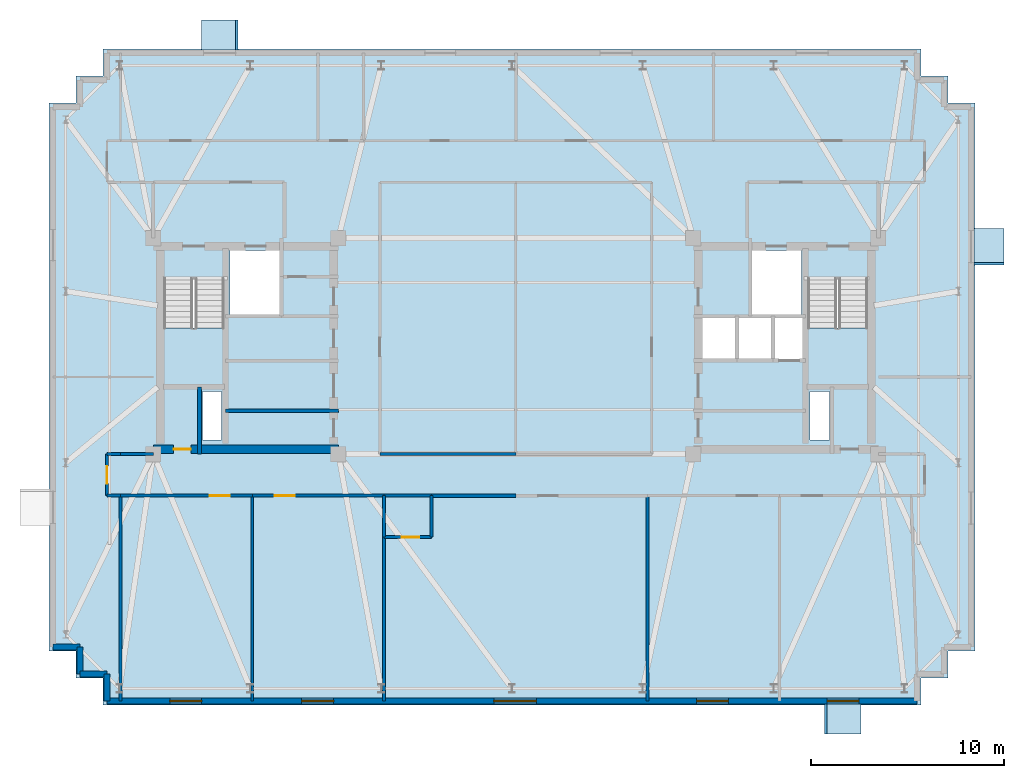
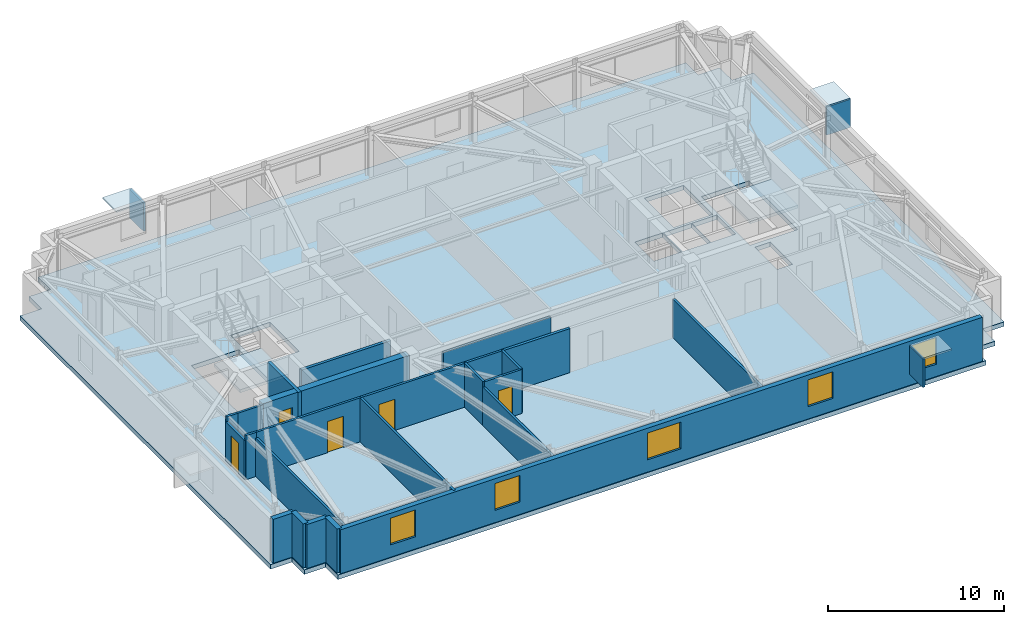
# One storey, part 5 of 10: 24 walls, 6 plates, 5 doors, 5 windows, 3 slabs, 10 openings, 2 elements without a shape of their own.
"""IFC4 building model written with IfcOpenShell, lengths in metres."""

from ifc_helpers import new_model, si_unit, direction, frame, frame_2d, origin, origin_2d, place, context, subcontext, project, spatial, polyline, rectangle, outline, extrude, material, layer, layer_set, type_object, element, fill, aggregate, save


model = new_model("IFC4")

# Units and contexts
model_context = context("Model", 3, precision=1e-05, world=origin(), true_north=direction((0.0, 1.0)))
body_context = subcontext(model_context, "Body", "Model", "MODEL_VIEW")
ifc_project = project(units=[si_unit("LENGTHUNIT", "METRE"), si_unit("AREAUNIT", "SQUARE_METRE"), si_unit("VOLUMEUNIT", "CUBIC_METRE"), si_unit("PLANEANGLEUNIT", "RADIAN"), si_unit("MASSUNIT", "GRAM", prefix="KILO")], contexts=[model_context])

# Site, building, storey
site_placement = place(None, origin())
site = spatial("IfcSite", under=ifc_project, at=site_placement, CompositionType="ELEMENT")
building_placement = place(site_placement, origin())
building = spatial("IfcBuilding", under=site, at=building_placement, Name="Qobustan Lattice House", CompositionType="ELEMENT")
storey_placement = place(building_placement, frame((0.0, 0.0, 231.64990234375)))
storey = spatial("IfcBuildingStorey", under=building, at=storey_placement, Name="L65", CompositionType="ELEMENT", Elevation=231.64990234375)

# Plates
ifc_material_1 = material(Name="Qobustan limestone GFRC", Category="masonry")
ifc_layer_1 = layer(ifc_material_1, 0.1201171875)
ifc_layer_set_1 = layer_set([ifc_layer_1], Name="Qobustan limestone GFRC")
plate_type = type_object("IfcPlateType", Name="SHD-HOOD-BROW", PredefinedType="USERDEFINED", material=ifc_layer_set_1)
plate_1_placement = place(storey_placement, frame((-15.360107421875, 16.1298828125, 2.699951171875), z_axis=(0.0, 0.0, 1.0), x_axis=(1.0, 0.0, 0.0)))
element("IfcPlate", 1, at=plate_1_placement, inside=storey, type_object=plate_type, Name="L65 splayed Qobustan stone hood brow", ObjectType="SUNSHADE", PredefinedType="USERDEFINED", context=body_context, shape_type="SweptSolid", body=[
    extrude(rectangle(XDim=1.889892578125, YDim=1.56005859375, at=origin_2d()), origin(), (0.0, 0.0, 1.0), 0.1201171875),
])
plate_2_placement = place(storey_placement, frame((-14.47509765625, 16.1298828125, 0.7900390625), z_axis=(0.0, 0.0, 1.0), x_axis=(1.0, 0.0, 0.0)))
element("IfcPlate", 2, at=plate_2_placement, inside=storey, type_object=plate_type, Name="L65 splayed Qobustan stone hood cheek", ObjectType="SUNSHADE", PredefinedType="USERDEFINED", context=body_context, shape_type="SweptSolid", body=[
    extrude(rectangle(XDim=0.1201171875, YDim=1.56005859375, at=origin_2d()), origin(), (0.0, 0.0, 1.0), 1.969970703125),
])
plate_3_placement = place(storey_placement, frame((24.530029296875, 5.159912109375, 2.699951171875), z_axis=(0.0, 0.0, 1.0), x_axis=(0.0, -1.0, 0.0)))
element("IfcPlate", 3, at=plate_3_placement, inside=storey, type_object=plate_type, Name="L65 splayed Qobustan stone hood brow", ObjectType="SUNSHADE", PredefinedType="USERDEFINED", context=body_context, shape_type="SweptSolid", body=[
    extrude(rectangle(XDim=1.889892578125, YDim=1.56005859375, at=origin_2d()), origin(), (0.0, 0.0, 1.0), 0.1201171875),
])
plate_4_placement = place(storey_placement, frame((24.530029296875, 4.27490234375, 0.7900390625), z_axis=(0.0, 0.0, 1.0), x_axis=(0.0, -1.0, 0.0)))
element("IfcPlate", 4, at=plate_4_placement, inside=storey, type_object=plate_type, Name="L65 splayed Qobustan stone hood cheek", ObjectType="SUNSHADE", PredefinedType="USERDEFINED", context=body_context, shape_type="SweptSolid", body=[
    extrude(rectangle(XDim=0.1201171875, YDim=1.56005859375, at=origin_2d()), origin(), (0.0, 0.0, 1.0), 1.969970703125),
])
plate_5_placement = place(storey_placement, frame((16.9599609375, -19.330078125, 2.699951171875), z_axis=(0.0, 0.0, 1.0), x_axis=(-1.0, 0.0, 0.0)))
element("IfcPlate", 5, at=plate_5_placement, inside=storey, type_object=plate_type, Name="L65 splayed Qobustan stone hood brow", ObjectType="SUNSHADE", PredefinedType="USERDEFINED", context=body_context, shape_type="SweptSolid", body=[
    extrude(rectangle(XDim=1.889892578125, YDim=1.56005859375, at=origin_2d()), origin(), (0.0, 0.0, 1.0), 0.1201171875),
])
plate_6_placement = place(storey_placement, frame((16.074951171875, -19.330078125, 0.7900390625), z_axis=(0.0, 0.0, 1.0), x_axis=(-1.0, 0.0, 0.0)))
element("IfcPlate", 6, at=plate_6_placement, inside=storey, type_object=plate_type, Name="L65 splayed Qobustan stone hood cheek", ObjectType="SUNSHADE", PredefinedType="USERDEFINED", context=body_context, shape_type="SweptSolid", body=[
    extrude(rectangle(XDim=0.1201171875, YDim=1.56005859375, at=origin_2d()), origin(), (0.0, 0.0, 1.0), 1.969970703125),
])

# Slab
ifc_material_2 = material(Name="Concrete C40/50", Category="concrete")
ifc_layer_2 = layer(ifc_material_2, 0.31005859375)
ifc_layer_set_2 = layer_set([ifc_layer_2], Name="Concrete C40/50")
slab_type_1 = type_object("IfcSlabType", Name="SLB-FLR-310", PredefinedType="FLOOR", material=ifc_layer_set_2)
slab_1_placement = place(storey_placement, frame((0.0, 0.0, -0.309814453125)))
element("IfcSlab", 7, at=slab_1_placement, inside=storey, type_object=slab_type_1, Name="L65 structural floor slab", PredefinedType="FLOOR", context=body_context, shape_type="SweptSolid", body=[
    extrude(outline(polyline([(-21.39990234375, -18.60009765625), (21.0, -18.60009765625), (21.0, -17.199951171875), (22.39990234375, -17.199951171875), (22.39990234375, -15.800048828125), (23.800048828125, -15.800048828125), (23.800048828125, 12.60009765625), (22.39990234375, 12.60009765625), (22.39990234375, 14.0), (21.0, 14.0), (21.0, 15.39990234375), (-21.39990234375, 15.39990234375), (-21.39990234375, 14.0), (-22.800048828125, 14.0), (-22.800048828125, 12.60009765625), (-24.199951171875, 12.60009765625), (-24.199951171875, -15.800048828125), (-22.800048828125, -15.800048828125), (-22.800048828125, -17.199951171875), (-21.39990234375, -17.199951171875), (-21.39990234375, -18.60009765625)]), holes=[polyline([(-18.25, -2.050048828125), (-18.25, 3.489990234375), (-15.1298828125, 3.489990234375), (-15.1298828125, -2.050048828125), (-18.25, -2.050048828125)]), polyline([(15.1298828125, -2.050048828125), (15.1298828125, 3.489990234375), (18.25, 3.489990234375), (18.25, -2.050048828125), (15.1298828125, -2.050048828125)]), polyline([(-14.820068359375, 1.64990234375), (-14.820068359375, 4.9599609375), (-12.25, 4.9599609375), (-12.25, 1.64990234375), (-14.820068359375, 1.64990234375)]), polyline([(12.25, 1.64990234375), (12.25, 4.9599609375), (14.820068359375, 4.9599609375), (14.820068359375, 1.64990234375), (12.25, 1.64990234375)]), polyline([(-16.260009765625, -4.8798828125), (-16.260009765625, -2.360107421875), (-15.260009765625, -2.360107421875), (-15.260009765625, -4.8798828125), (-16.260009765625, -4.8798828125)]), polyline([(15.260009765625, -4.8798828125), (15.260009765625, -2.360107421875), (16.260009765625, -2.360107421875), (16.260009765625, -4.8798828125), (15.260009765625, -4.8798828125)]), polyline([(13.360107421875, -0.679931640625), (13.360107421875, 1.47998046875), (14.97998046875, 1.47998046875), (14.97998046875, -0.679931640625), (13.360107421875, -0.679931640625)]), polyline([(9.6201171875, -0.679931640625), (9.6201171875, 1.47998046875), (11.43994140625, 1.47998046875), (11.43994140625, -0.679931640625), (9.6201171875, -0.679931640625)]), polyline([(11.5, -0.679931640625), (11.5, 1.47998046875), (13.320068359375, 1.47998046875), (13.320068359375, -0.679931640625), (11.5, -0.679931640625)])]), origin(), (0.0, 0.0, 1.0), 0.309814453125),
])

# Stair, slab
ifc_material_3 = material(Name="Concrete C40/50", Category="concrete")
stair_type = type_object("IfcStairType", Name="STR-CORE-DOGLEG", PredefinedType="HALF_TURN_STAIR", material=ifc_material_3)
stair_1_placement = place(storey_placement, origin())
stair_1 = element("IfcStair", 8, at=stair_1_placement, inside=storey, type_object=stair_type, Name="L65 West protected exit stair ST-W1", PredefinedType="HALF_TURN_STAIR")
ifc_material_4 = material(Name="Concrete C40/50", Category="concrete")
ifc_layer_3 = layer(ifc_material_4, 0.199951171875)
ifc_layer_set_3 = layer_set([ifc_layer_3], Name="Concrete C40/50")
slab_type_2 = type_object("IfcSlabType", Name="SLB-LANDING-200", PredefinedType="LANDING", material=ifc_layer_set_3)
slab_2_placement = place(storey_placement, frame((0.0, 0.0, 1.47509765625)))
slab_2 = element("IfcSlab", 9, at=slab_2_placement, type_object=slab_type_2, Name="ST-W1 landing 1", PredefinedType="LANDING", context=body_context, shape_type="SweptSolid", body=[
    extrude(outline(polyline([(-18.25, 0.93505859375), (-18.25, -2.050048828125), (-15.1298828125, -2.050048828125), (-15.1298828125, 0.93505859375), (-18.25, 0.93505859375)])), origin(), (0.0, 0.0, 1.0), 0.199951171875),
])
aggregate(stair_1, [slab_2])

stair_2_placement = place(storey_placement, origin())
stair_2 = element("IfcStair", 10, at=stair_2_placement, inside=storey, type_object=stair_type, Name="L65 East protected exit stair ST-E1", PredefinedType="HALF_TURN_STAIR")
slab_3_placement = place(storey_placement, frame((0.0, 0.0, 1.47509765625)))
slab_3 = element("IfcSlab", 11, at=slab_3_placement, type_object=slab_type_2, Name="ST-E1 landing 1", PredefinedType="LANDING", context=body_context, shape_type="SweptSolid", body=[
    extrude(outline(polyline([(15.1298828125, 0.93505859375), (15.1298828125, -2.050048828125), (18.25, -2.050048828125), (18.25, 0.93505859375), (15.1298828125, 0.93505859375)])), origin(), (0.0, 0.0, 1.0), 0.199951171875),
])
aggregate(stair_2, [slab_3])

# Wall, opening, door
ifc_material_5 = material(Name="Concrete C50/60", Category="concrete")
ifc_layer_4 = layer(ifc_material_5, 0.43994140625)
ifc_layer_set_4 = layer_set([ifc_layer_4], Name="Concrete C50/60")
wall_type_1 = type_object("IfcWallType", Name="WAL-CORE-440", PredefinedType="SHEAR", material=ifc_layer_set_4)
wall_1_placement = place(storey_placement, frame((-18.800048828125, -5.35009765625, 0.0), z_axis=(0.0, 0.0, 1.0), x_axis=(1.0, 0.0, 0.0)))
wall_1 = element("IfcWall", 12, at=wall_1_placement, inside=storey, type_object=wall_type_1, Name="L65 split-core shear wall CW-S", PredefinedType="SHEAR", context=body_context, shape_type="SweptSolid", body=[
    extrude(rectangle(XDim=9.60009765625, YDim=0.43994140625, at=frame_2d((4.800048828125, 0.0))), origin(), (0.0, 0.0, 1.0), 3.0400390625),
])
opening_1_placement = place(wall_1_placement, frame((1.050048828125, 0.0, 0.0)))
opening_1 = element("IfcOpeningElement", 13, at=opening_1_placement, cuts=wall_1, Name="Opening RD-01", PredefinedType="OPENING", context=body_context, shape_type="SweptSolid", body=[
    extrude(rectangle(XDim=0.89990234375, YDim=2.10009765625, at=frame_2d((0.449951171875, 1.050048828125))), frame((0.0, 0.22998046875, 0.0), z_axis=(0.0, -1.0, 0.0), x_axis=(1.0, 0.0, 0.0)), (0.0, 0.0, 1.0), 0.4599609375),
])
ifc_material_6 = material(Name="Persian walnut timber and steel frame door", Category="steel")
door_type_1 = type_object("IfcDoorType", Name="DOR-RISER-FD-900x2100", OperationType="NOTDEFINED", PredefinedType="DOOR", material=ifc_material_6)
door_1_placement = place(opening_1_placement, origin())
door_1 = element("IfcDoor", 14, at=door_1_placement, inside=storey, type_object=door_type_1, Name="L65 core service riser access door W", OperationType="SINGLE_SWING_LEFT", OverallHeight=2.10009765625, OverallWidth=0.89990234375, PredefinedType="DOOR", context=body_context, shape_type="SweptSolid", body=[
    extrude(rectangle(XDim=0.89990234375, YDim=2.10009765625, at=frame_2d((0.449951171875, 1.050048828125))), frame((0.0, 0.02490234375, 0.0), z_axis=(0.0, -1.0, 0.0), x_axis=(1.0, 0.0, 0.0)), (0.0, 0.0, 1.0), 0.050048828125),
])
fill(opening_1, door_1)

# Walls
ifc_material_7 = material(Name="Precast concrete C40/50", Category="concrete")
ifc_layer_5 = layer(ifc_material_7, 0.320068359375)
ifc_layer_set_5 = layer_set([ifc_layer_5], Name="Precast concrete C40/50")
wall_type_2 = type_object("IfcWallType", Name="WAL-EXT-STONE-320", PredefinedType="SOLIDWALL", material=ifc_layer_set_5)
wall_2_placement = place(storey_placement, frame((-21.199951171875, -18.39990234375, 0.0), z_axis=(0.0, 0.0, 1.0), x_axis=(0.0, 1.0, 0.0)))
element("IfcWall", 15, at=wall_2_placement, inside=storey, type_object=wall_type_2, Name="L65 exterior limestone-clad wall 1", PredefinedType="SOLIDWALL", context=body_context, shape_type="SweptSolid", body=[
    extrude(rectangle(XDim=1.39990234375, YDim=0.320068359375, at=frame_2d((0.699951171875, 0.0))), origin(), (0.0, 0.0, 1.0), 3.0400390625),
])
wall_3_placement = place(storey_placement, frame((-21.199951171875, -17.0, 0.0), z_axis=(0.0, 0.0, 1.0), x_axis=(-1.0, 0.0, 0.0)))
element("IfcWall", 16, at=wall_3_placement, inside=storey, type_object=wall_type_2, Name="L65 exterior limestone-clad wall 2", PredefinedType="SOLIDWALL", context=body_context, shape_type="SweptSolid", body=[
    extrude(rectangle(XDim=1.400146484375, YDim=0.320068359375, at=frame_2d((0.7001953125, 0.0))), origin(), (0.0, 0.0, 1.0), 3.0400390625),
])
for number, where, z_axis, x_axis, name in (
    (17, (-22.60009765625, -17.0, 0.0), (0.0, 0.0, 1.0), (0.0, 1.0, 0.0), "L65 exterior limestone-clad wall 3"),
    (18, (-22.60009765625, -15.60009765625, 0.0), (0.0, 0.0, 1.0), (-1.0, 0.0, 0.0), "L65 exterior limestone-clad wall 4"),
):
    element("IfcWall", number, at=place(storey_placement, frame(where, z_axis=z_axis, x_axis=x_axis)), inside=storey, type_object=wall_type_2, Name=name, PredefinedType="SOLIDWALL", context=body_context, shape_type="SweptSolid", body=[
        extrude(rectangle(XDim=1.39990234375, YDim=0.320068359375, at=frame_2d((0.699951171875, 0.0))), origin(), (0.0, 0.0, 1.0), 3.0400390625),
    ])

# Wall, openings, windows
wall_4_placement = place(storey_placement, frame((20.800048828125, -18.39990234375, 0.0), z_axis=(0.0, 0.0, 1.0), x_axis=(-1.0, 0.0, 0.0)))
wall_4 = element("IfcWall", 19, at=wall_4_placement, inside=storey, type_object=wall_type_2, Name="L65 exterior limestone-clad wall 20", PredefinedType="SOLIDWALL", context=body_context, shape_type="SweptSolid", body=[
    extrude(rectangle(XDim=42.0, YDim=0.320068359375, at=frame_2d((21.0, 0.0))), origin(), (0.0, 0.0, 1.0), 3.0400390625),
])
opening_2_placement = place(wall_4_placement, frame((3.014892578125, 0.0, 0.85009765625)))
opening_2 = element("IfcOpeningElement", 20, at=opening_2_placement, cuts=wall_4, Name="Opening WN-09", PredefinedType="OPENING", context=body_context, shape_type="SweptSolid", body=[
    extrude(rectangle(XDim=1.64990234375, YDim=1.85009765625, at=frame_2d((0.824951171875, 0.925048828125))), frame((0.0, 0.169921875, 0.0), z_axis=(0.0, -1.0, 0.0), x_axis=(1.0, 0.0, 0.0)), (0.0, 0.0, 1.0), 0.340087890625),
])
opening_3_placement = place(wall_4_placement, frame((9.77490234375, 0.0, 0.85009765625)))
opening_3 = element("IfcOpeningElement", 21, at=opening_3_placement, cuts=wall_4, Name="Opening WN-09", PredefinedType="OPENING", context=body_context, shape_type="SweptSolid", body=[
    extrude(rectangle(XDim=1.64990234375, YDim=1.85009765625, at=frame_2d((0.824951171875, 0.925048828125))), frame((0.0, 0.169921875, 0.0), z_axis=(0.0, -1.0, 0.0), x_axis=(1.0, 0.0, 0.0)), (0.0, 0.0, 1.0), 0.340087890625),
])
opening_4_placement = place(wall_4_placement, frame((19.739990234375, 0.0, 0.85009765625)))
opening_4 = element("IfcOpeningElement", 22, at=opening_4_placement, cuts=wall_4, Name="Opening WN-03", PredefinedType="OPENING", context=body_context, shape_type="SweptSolid", body=[
    extrude(rectangle(XDim=2.199951171875, YDim=1.85009765625, at=frame_2d((1.10009765625, 0.925048828125))), frame((0.0, 0.169921875, 0.0), z_axis=(0.0, -1.0, 0.0), x_axis=(1.0, 0.0, 0.0)), (0.0, 0.0, 1.0), 0.340087890625),
])
opening_5_placement = place(wall_4_placement, frame((30.2548828125, 0.0, 0.85009765625)))
opening_5 = element("IfcOpeningElement", 23, at=opening_5_placement, cuts=wall_4, Name="Opening WN-09", PredefinedType="OPENING", context=body_context, shape_type="SweptSolid", body=[
    extrude(rectangle(XDim=1.64990234375, YDim=1.85009765625, at=frame_2d((0.824951171875, 0.925048828125))), frame((0.0, 0.169921875, 0.0), z_axis=(0.0, -1.0, 0.0), x_axis=(1.0, 0.0, 0.0)), (0.0, 0.0, 1.0), 0.340087890625),
])
opening_6_placement = place(wall_4_placement, frame((37.094970703125, 0.0, 0.85009765625)))
opening_6 = element("IfcOpeningElement", 24, at=opening_6_placement, cuts=wall_4, Name="Opening WN-09", PredefinedType="OPENING", context=body_context, shape_type="SweptSolid", body=[
    extrude(rectangle(XDim=1.64990234375, YDim=1.85009765625, at=frame_2d((0.824951171875, 0.925048828125))), frame((0.0, 0.169921875, 0.0), z_axis=(0.0, -1.0, 0.0), x_axis=(1.0, 0.0, 0.0)), (0.0, 0.0, 1.0), 0.340087890625),
])
ifc_material_8 = material(Name="Double-glazed low-E aluminium window", Category="aluminium")
window_type_1 = type_object("IfcWindowType", Name="WIN-STU-1650x1850", PartitioningType="SINGLE_PANEL", PredefinedType="WINDOW", material=ifc_material_8)
window_1_placement = place(opening_2_placement, origin())
window_1 = element("IfcWindow", 25, at=window_1_placement, inside=storey, type_object=window_type_1, Name="L65 Academic seminar room window", OverallHeight=1.85009765625, OverallWidth=1.64990234375, PartitioningType="SINGLE_PANEL", PredefinedType="WINDOW", context=body_context, shape_type="SweptSolid", body=[
    extrude(rectangle(XDim=1.64990234375, YDim=1.85009765625, at=frame_2d((0.824951171875, 0.925048828125))), frame((0.0, 0.030029296875, 0.0), z_axis=(0.0, -1.0, 0.0), x_axis=(1.0, 0.0, 0.0)), (0.0, 0.0, 1.0), 0.06005859375),
])
fill(opening_2, window_1)
window_2_placement = place(opening_3_placement, origin())
window_2 = element("IfcWindow", 26, at=window_2_placement, inside=storey, type_object=window_type_1, Name="L65 Group study room window", OverallHeight=1.85009765625, OverallWidth=1.64990234375, PartitioningType="SINGLE_PANEL", PredefinedType="WINDOW", context=body_context, shape_type="SweptSolid", body=[
    extrude(rectangle(XDim=1.64990234375, YDim=1.85009765625, at=frame_2d((0.824951171875, 0.925048828125))), frame((0.0, 0.030029296875, 0.0), z_axis=(0.0, -1.0, 0.0), x_axis=(1.0, 0.0, 0.0)), (0.0, 0.0, 1.0), 0.06005859375),
])
fill(opening_3, window_2)
window_3_placement = place(opening_5_placement, origin())
window_3 = element("IfcWindow", 27, at=window_3_placement, inside=storey, type_object=window_type_1, Name="L65 Focus study room S1B window", OverallHeight=1.85009765625, OverallWidth=1.64990234375, PartitioningType="SINGLE_PANEL", PredefinedType="WINDOW", context=body_context, shape_type="SweptSolid", body=[
    extrude(rectangle(XDim=1.64990234375, YDim=1.85009765625, at=frame_2d((0.824951171875, 0.925048828125))), frame((0.0, 0.030029296875, 0.0), z_axis=(0.0, -1.0, 0.0), x_axis=(1.0, 0.0, 0.0)), (0.0, 0.0, 1.0), 0.06005859375),
])
fill(opening_5, window_3)
window_4_placement = place(opening_6_placement, origin())
window_4 = element("IfcWindow", 28, at=window_4_placement, inside=storey, type_object=window_type_1, Name="L65 Focus study room S1A window", OverallHeight=1.85009765625, OverallWidth=1.64990234375, PartitioningType="SINGLE_PANEL", PredefinedType="WINDOW", context=body_context, shape_type="SweptSolid", body=[
    extrude(rectangle(XDim=1.64990234375, YDim=1.85009765625, at=frame_2d((0.824951171875, 0.925048828125))), frame((0.0, 0.030029296875, 0.0), z_axis=(0.0, -1.0, 0.0), x_axis=(1.0, 0.0, 0.0)), (0.0, 0.0, 1.0), 0.06005859375),
])
fill(opening_6, window_4)
ifc_material_9 = material(Name="Double-glazed low-E aluminium window", Category="aluminium")
window_type_2 = type_object("IfcWindowType", Name="WIN-WIDE-2200x1850", PartitioningType="SINGLE_PANEL", PredefinedType="WINDOW", material=ifc_material_9)
window_5_placement = place(opening_4_placement, origin())
window_5 = element("IfcWindow", 29, at=window_5_placement, inside=storey, type_object=window_type_2, Name="L65 Kitchenette and studio apartment L65-S2 window", OverallHeight=1.85009765625, OverallWidth=2.199951171875, PartitioningType="SINGLE_PANEL", PredefinedType="WINDOW", context=body_context, shape_type="SweptSolid", body=[
    extrude(rectangle(XDim=2.199951171875, YDim=1.85009765625, at=frame_2d((1.10009765625, 0.925048828125))), frame((0.0, 0.030029296875, 0.0), z_axis=(0.0, -1.0, 0.0), x_axis=(1.0, 0.0, 0.0)), (0.0, 0.0, 1.0), 0.06005859375),
])
fill(opening_4, window_5)

# Walls
ifc_material_10 = material(Name="Gypsum fireboard acoustic partition", Category="gypsum")
ifc_layer_6 = layer(ifc_material_10, 0.179931640625)
ifc_layer_set_6 = layer_set([ifc_layer_6], Name="Gypsum fireboard acoustic partition")
wall_type_3 = type_object("IfcWallType", Name="WAL-FIRE-180", PredefinedType="PARTITIONING", material=ifc_layer_set_6)
wall_5_placement = place(storey_placement, frame((-15.050048828125, -3.35009765625, 0.0), z_axis=(0.0, 0.0, 1.0), x_axis=(1.0, 0.0, 0.0)))
element("IfcWall", 30, at=wall_5_placement, inside=storey, type_object=wall_type_3, Name="L65 interior partition 10", PredefinedType="PARTITIONING", context=body_context, shape_type="SweptSolid", body=[
    extrude(rectangle(XDim=5.85009765625, YDim=0.179931640625, at=frame_2d((2.925048828125, 0.0))), origin(), (0.0, 0.0, 1.0), 2.755126953125),
])
wall_6_placement = place(storey_placement, frame((0.0, -7.75, 0.0), z_axis=(0.0, 0.0, 1.0), x_axis=(-1.0, 0.0, 0.0)))
element("IfcWall", 31, at=wall_6_placement, inside=storey, type_object=wall_type_3, Name="L65 interior partition 50", PredefinedType="PARTITIONING", context=body_context, shape_type="SweptSolid", body=[
    extrude(rectangle(XDim=4.383056640625, YDim=0.179931640625, at=frame_2d((2.19140625, 0.0))), origin(), (0.0, 0.0, 1.0), 3.0400390625),
])

# Wall, opening, door
ifc_material_11 = material(Name="Acoustic twin-stud gypsum partition", Category="gypsum")
ifc_layer_7 = layer(ifc_material_11, 0.14990234375)
ifc_layer_set_7 = layer_set([ifc_layer_7], Name="Acoustic twin-stud gypsum partition")
wall_type_4 = type_object("IfcWallType", Name="WAL-PART-150", PredefinedType="PARTITIONING", material=ifc_layer_set_7)
wall_7_placement = place(storey_placement, frame((-21.199951171875, -7.75, 0.0), z_axis=(0.0, 0.0, 1.0), x_axis=(0.0, 1.0, 0.0)))
wall_7 = element("IfcWall", 32, at=wall_7_placement, inside=storey, type_object=wall_type_4, Name="L65 interior partition 44", PredefinedType="PARTITIONING", context=body_context, shape_type="SweptSolid", body=[
    extrude(rectangle(XDim=2.14990234375, YDim=0.14990234375, at=frame_2d((1.074951171875, 0.0))), origin(), (0.0, 0.0, 1.0), 2.695068359375),
])
opening_7_placement = place(wall_7_placement, frame((0.625, 0.0, 0.0)))
opening_7 = element("IfcOpeningElement", 33, at=opening_7_placement, cuts=wall_7, Name="Opening WD-01", PredefinedType="OPENING", context=body_context, shape_type="SweptSolid", body=[
    extrude(rectangle(XDim=0.89990234375, YDim=2.10009765625, at=frame_2d((0.449951171875, 1.050048828125))), frame((0.0, 0.0849609375, 0.0), z_axis=(0.0, -1.0, 0.0), x_axis=(1.0, 0.0, 0.0)), (0.0, 0.0, 1.0), 0.169921875),
])
ifc_material_12 = material(Name="Persian walnut timber and steel frame door", Category="steel")
door_type_2 = type_object("IfcDoorType", Name="DOR-WET-900x2100", OperationType="NOTDEFINED", PredefinedType="DOOR", material=ifc_material_12)
door_2_placement = place(opening_7_placement, origin())
door_2 = element("IfcDoor", 34, at=door_2_placement, inside=storey, type_object=door_type_2, Name="L65 South-west floor corridor to Academic seminar room door", OperationType="SINGLE_SWING_RIGHT", OverallHeight=2.10009765625, OverallWidth=0.89990234375, PredefinedType="DOOR", context=body_context, shape_type="SweptSolid", body=[
    extrude(rectangle(XDim=0.89990234375, YDim=2.10009765625, at=frame_2d((0.449951171875, 1.050048828125))), frame((0.0, 0.02490234375, 0.0), z_axis=(0.0, -1.0, 0.0), x_axis=(1.0, 0.0, 0.0)), (0.0, 0.0, 1.0), 0.050048828125),
])
fill(opening_7, door_2)

# Walls
wall_8_placement = place(storey_placement, frame((-20.5, -5.60009765625, 0.0), z_axis=(0.0, 0.0, 1.0), x_axis=(1.0, 0.0, 0.0)))
element("IfcWall", 35, at=wall_8_placement, inside=storey, type_object=wall_type_4, Name="L65 interior partition 45", PredefinedType="PARTITIONING", context=body_context, shape_type="SweptSolid", body=[
    extrude(rectangle(XDim=1.699951171875, YDim=0.14990234375, at=frame_2d((0.85009765625, 0.0))), origin(), (0.0, 0.0, 1.0), 3.0400390625),
])
for number, where, z_axis, x_axis, name in (
    (36, (-20.5, -7.75, 0.0), (0.0, 0.0, 1.0), (-1.0, 0.0, 0.0), "L65 interior partition 46"),
    (37, (-21.199951171875, -5.60009765625, 0.0), (0.0, 0.0, 1.0), (1.0, 0.0, 0.0), "L65 interior partition 47"),
):
    element("IfcWall", number, at=place(storey_placement, frame(where, z_axis=z_axis, x_axis=x_axis)), inside=storey, type_object=wall_type_4, Name=name, PredefinedType="PARTITIONING", context=body_context, shape_type="SweptSolid", body=[
        extrude(rectangle(XDim=0.699951171875, YDim=0.14990234375, at=frame_2d((0.35009765625, 0.0))), origin(), (0.0, 0.0, 1.0), 3.0400390625),
    ])

# Wall, opening, door
wall_9_placement = place(storey_placement, frame((-13.66650390625, -7.75, 0.0), z_axis=(0.0, 0.0, 1.0), x_axis=(-1.0, 0.0, 0.0)))
wall_9 = element("IfcWall", 38, at=wall_9_placement, inside=storey, type_object=wall_type_4, Name="L65 interior partition 48", PredefinedType="PARTITIONING", context=body_context, shape_type="SweptSolid", body=[
    extrude(rectangle(XDim=6.83349609375, YDim=0.14990234375, at=frame_2d((3.416748046875, 0.0))), origin(), (0.0, 0.0, 1.0), 3.0400390625),
])
opening_8_placement = place(wall_9_placement, frame((1.157958984375, 0.0, 0.0)))
opening_8 = element("IfcOpeningElement", 39, at=opening_8_placement, cuts=wall_9, Name="Opening ID-02", PredefinedType="OPENING", context=body_context, shape_type="SweptSolid", body=[
    extrude(rectangle(XDim=1.050048828125, YDim=2.14990234375, at=frame_2d((0.52490234375, 1.074951171875))), frame((0.0, 0.0849609375, 0.0), z_axis=(0.0, -1.0, 0.0), x_axis=(1.0, 0.0, 0.0)), (0.0, 0.0, 1.0), 0.169921875),
])
ifc_material_13 = material(Name="Persian walnut timber and steel frame door", Category="steel")
door_type_3 = type_object("IfcDoorType", Name="DOR-STUDY-1050x2150", OperationType="NOTDEFINED", PredefinedType="DOOR", material=ifc_material_13)
door_3_placement = place(opening_8_placement, origin())
door_3 = element("IfcDoor", 40, at=door_3_placement, inside=storey, type_object=door_type_3, Name="L65 South-west floor corridor to Focus study room S1A door", OperationType="SINGLE_SWING_LEFT", OverallHeight=2.14990234375, OverallWidth=1.050048828125, PredefinedType="DOOR", context=body_context, shape_type="SweptSolid", body=[
    extrude(rectangle(XDim=1.050048828125, YDim=2.14990234375, at=frame_2d((0.52490234375, 1.074951171875))), frame((0.0, 0.02490234375, 0.0), z_axis=(0.0, -1.0, 0.0), x_axis=(1.0, 0.0, 0.0)), (0.0, 0.0, 1.0), 0.050048828125),
])
fill(opening_8, door_3)

wall_10_placement = place(storey_placement, frame((-6.8330078125, -7.75, 0.0), z_axis=(0.0, 0.0, 1.0), x_axis=(-1.0, 0.0, 0.0)))
wall_10 = element("IfcWall", 41, at=wall_10_placement, inside=storey, type_object=wall_type_4, Name="L65 interior partition 49", PredefinedType="PARTITIONING", context=body_context, shape_type="SweptSolid", body=[
    extrude(rectangle(XDim=6.83349609375, YDim=0.14990234375, at=frame_2d((3.416748046875, 0.0))), origin(), (0.0, 0.0, 1.0), 3.0400390625),
])
opening_9_placement = place(wall_10_placement, frame((4.62548828125, 0.0, 0.0)))
opening_9 = element("IfcOpeningElement", 42, at=opening_9_placement, cuts=wall_10, Name="Opening ID-02", PredefinedType="OPENING", context=body_context, shape_type="SweptSolid", body=[
    extrude(rectangle(XDim=1.050048828125, YDim=2.14990234375, at=frame_2d((0.52490234375, 1.074951171875))), frame((0.0, 0.0849609375, 0.0), z_axis=(0.0, -1.0, 0.0), x_axis=(1.0, 0.0, 0.0)), (0.0, 0.0, 1.0), 0.169921875),
])
door_4_placement = place(opening_9_placement, origin())
door_4 = element("IfcDoor", 43, at=door_4_placement, inside=storey, type_object=door_type_3, Name="L65 South-west floor corridor to Focus study room S1B door", OperationType="SINGLE_SWING_RIGHT", OverallHeight=2.14990234375, OverallWidth=1.050048828125, PredefinedType="DOOR", context=body_context, shape_type="SweptSolid", body=[
    extrude(rectangle(XDim=1.050048828125, YDim=2.14990234375, at=frame_2d((0.52490234375, 1.074951171875))), frame((0.0, 0.02490234375, 0.0), z_axis=(0.0, -1.0, 0.0), x_axis=(1.0, 0.0, 0.0)), (0.0, 0.0, 1.0), 0.050048828125),
])
fill(opening_9, door_4)

# Walls
wall_11_placement = place(storey_placement, frame((-7.050048828125, -5.60009765625, 0.0), z_axis=(0.0, 0.0, 1.0), x_axis=(1.0, 0.0, 0.0)))
element("IfcWall", 44, at=wall_11_placement, inside=storey, type_object=wall_type_4, Name="L65 interior partition 52", PredefinedType="PARTITIONING", context=body_context, shape_type="SweptSolid", body=[
    extrude(rectangle(XDim=7.050048828125, YDim=0.14990234375, at=frame_2d((3.52490234375, 0.0))), origin(), (0.0, 0.0, 1.0), 2.525146484375),
])
wall_12_placement = place(storey_placement, frame((-20.5, -7.75, 0.0), z_axis=(0.0, 0.0, 1.0), x_axis=(0.0, -1.0, 0.0)))
element("IfcWall", 45, at=wall_12_placement, inside=storey, type_object=wall_type_4, Name="L65 interior partition 64", PredefinedType="PARTITIONING", context=body_context, shape_type="SweptSolid", body=[
    extrude(rectangle(XDim=10.64990234375, YDim=0.14990234375, at=frame_2d((5.324951171875, 0.0))), origin(), (0.0, 0.0, 1.0), 2.6650390625),
])
wall_13_placement = place(storey_placement, frame((-13.66650390625, -7.75, 0.0), z_axis=(0.0, 0.0, 1.0), x_axis=(0.0, -1.0, 0.0)))
element("IfcWall", 46, at=wall_13_placement, inside=storey, type_object=wall_type_4, Name="L65 interior partition 73", PredefinedType="PARTITIONING", context=body_context, shape_type="SweptSolid", body=[
    extrude(rectangle(XDim=10.64990234375, YDim=0.14990234375, at=frame_2d((5.324951171875, 0.0))), origin(), (0.0, 0.0, 1.0), 3.0400390625),
])
wall_14_placement = place(storey_placement, frame((-6.8330078125, -9.89990234375, 0.0), z_axis=(0.0, 0.0, 1.0), x_axis=(0.0, -1.0, 0.0)))
element("IfcWall", 47, at=wall_14_placement, inside=storey, type_object=wall_type_4, Name="L65 interior partition 74", PredefinedType="PARTITIONING", context=body_context, shape_type="SweptSolid", body=[
    extrude(rectangle(XDim=8.5, YDim=0.14990234375, at=frame_2d((4.25, 0.0))), origin(), (0.0, 0.0, 1.0), 2.6650390625),
])
wall_15_placement = place(storey_placement, frame((6.8330078125, -7.75, 0.0), z_axis=(0.0, 0.0, 1.0), x_axis=(0.0, -1.0, 0.0)))
element("IfcWall", 48, at=wall_15_placement, inside=storey, type_object=wall_type_4, Name="L65 interior partition 78", PredefinedType="PARTITIONING", context=body_context, shape_type="SweptSolid", body=[
    extrude(rectangle(XDim=10.64990234375, YDim=0.14990234375, at=frame_2d((5.324951171875, 0.0))), origin(), (0.0, 0.0, 1.0), 2.6650390625),
])
ifc_material_14 = material(Name="Concrete C40/50", Category="concrete")
ifc_layer_8 = layer(ifc_material_14, 0.199951171875)
ifc_layer_set_8 = layer_set([ifc_layer_8], Name="Concrete C40/50")
wall_type_5 = type_object("IfcWallType", Name="WAL-SHAFT-200", PredefinedType="PARTITIONING", material=ifc_layer_set_8)
wall_16_placement = place(storey_placement, frame((-16.39990234375, -5.60009765625, 0.0), z_axis=(0.0, 0.0, 1.0), x_axis=(0.0, 1.0, 0.0)))
element("IfcWall", 49, at=wall_16_placement, inside=storey, type_object=wall_type_5, Name="L65 interior partition 1", PredefinedType="PARTITIONING", context=body_context, shape_type="SweptSolid", body=[
    extrude(rectangle(XDim=3.489990234375, YDim=0.199951171875, at=frame_2d((1.7451171875, 0.0))), origin(), (0.0, 0.0, 1.0), 3.0400390625),
])
ifc_material_15 = material(Name="Moisture-resistant acoustic plumbing wall", Category="gypsum")
ifc_layer_9 = layer(ifc_material_15, 0.14990234375)
ifc_layer_set_9 = layer_set([ifc_layer_9], Name="Moisture-resistant acoustic plumbing wall")
wall_type_6 = type_object("IfcWallType", Name="WAL-WET-150", PredefinedType="PLUMBINGWALL", material=ifc_layer_set_9)
wall_17_placement = place(storey_placement, frame((-4.383056640625, -7.75, 0.0), z_axis=(0.0, 0.0, 1.0), x_axis=(-1.0, 0.0, 0.0)))
element("IfcWall", 50, at=wall_17_placement, inside=storey, type_object=wall_type_6, Name="L65 interior partition 51", PredefinedType="PLUMBINGWALL", context=body_context, shape_type="SweptSolid", body=[
    extrude(rectangle(XDim=2.449951171875, YDim=0.14990234375, at=frame_2d((1.22509765625, 0.0))), origin(), (0.0, 0.0, 1.0), 3.0400390625),
])
wall_18_placement = place(storey_placement, frame((-6.8330078125, -7.75, 0.0), z_axis=(0.0, 0.0, 1.0), x_axis=(0.0, -1.0, 0.0)))
element("IfcWall", 51, at=wall_18_placement, inside=storey, type_object=wall_type_6, Name="L65 interior partition 75", PredefinedType="PLUMBINGWALL", context=body_context, shape_type="SweptSolid", body=[
    extrude(rectangle(XDim=2.14990234375, YDim=0.14990234375, at=frame_2d((1.074951171875, 0.0))), origin(), (0.0, 0.0, 1.0), 3.0400390625),
])

# Wall, opening, door
wall_19_placement = place(storey_placement, frame((-6.8330078125, -9.89990234375, 0.0), z_axis=(0.0, 0.0, 1.0), x_axis=(1.0, 0.0, 0.0)))
wall_19 = element("IfcWall", 52, at=wall_19_placement, inside=storey, type_object=wall_type_6, Name="L65 interior partition 76", PredefinedType="PLUMBINGWALL", context=body_context, shape_type="SweptSolid", body=[
    extrude(rectangle(XDim=2.449951171875, YDim=0.14990234375, at=frame_2d((1.22509765625, 0.0))), origin(), (0.0, 0.0, 1.0), 3.0400390625),
])
opening_10_placement = place(wall_19_placement, frame((0.92138671875, 0.0, 0.0)))
opening_10 = element("IfcOpeningElement", 53, at=opening_10_placement, cuts=wall_19, Name="Opening WD-01", PredefinedType="OPENING", context=body_context, shape_type="SweptSolid", body=[
    extrude(rectangle(XDim=0.89990234375, YDim=2.10009765625, at=frame_2d((0.449951171875, 1.050048828125))), frame((0.0, 0.0849609375, 0.0), z_axis=(0.0, -1.0, 0.0), x_axis=(1.0, 0.0, 0.0)), (0.0, 0.0, 1.0), 0.169921875),
])
door_5_placement = place(opening_10_placement, origin())
door_5 = element("IfcDoor", 54, at=door_5_placement, inside=storey, type_object=door_type_2, Name="L65 Kitchenette and studio apartment L65-S2 to En-suite bathroom L65-S2 door", OperationType="SINGLE_SWING_LEFT", OverallHeight=2.10009765625, OverallWidth=0.89990234375, PredefinedType="DOOR", context=body_context, shape_type="SweptSolid", body=[
    extrude(rectangle(XDim=0.89990234375, YDim=2.10009765625, at=frame_2d((0.449951171875, 1.050048828125))), frame((0.0, 0.02490234375, 0.0), z_axis=(0.0, -1.0, 0.0), x_axis=(1.0, 0.0, 0.0)), (0.0, 0.0, 1.0), 0.050048828125),
])
fill(opening_10, door_5)

# Wall
wall_20_placement = place(storey_placement, frame((-4.383056640625, -9.89990234375, 0.0), z_axis=(0.0, 0.0, 1.0), x_axis=(0.0, 1.0, 0.0)))
element("IfcWall", 55, at=wall_20_placement, inside=storey, type_object=wall_type_6, Name="L65 interior partition 77", PredefinedType="PLUMBINGWALL", context=body_context, shape_type="SweptSolid", body=[
    extrude(rectangle(XDim=2.14990234375, YDim=0.14990234375, at=frame_2d((1.074951171875, 0.0))), origin(), (0.0, 0.0, 1.0), 3.0400390625),
])

save(model, "model.ifc")
